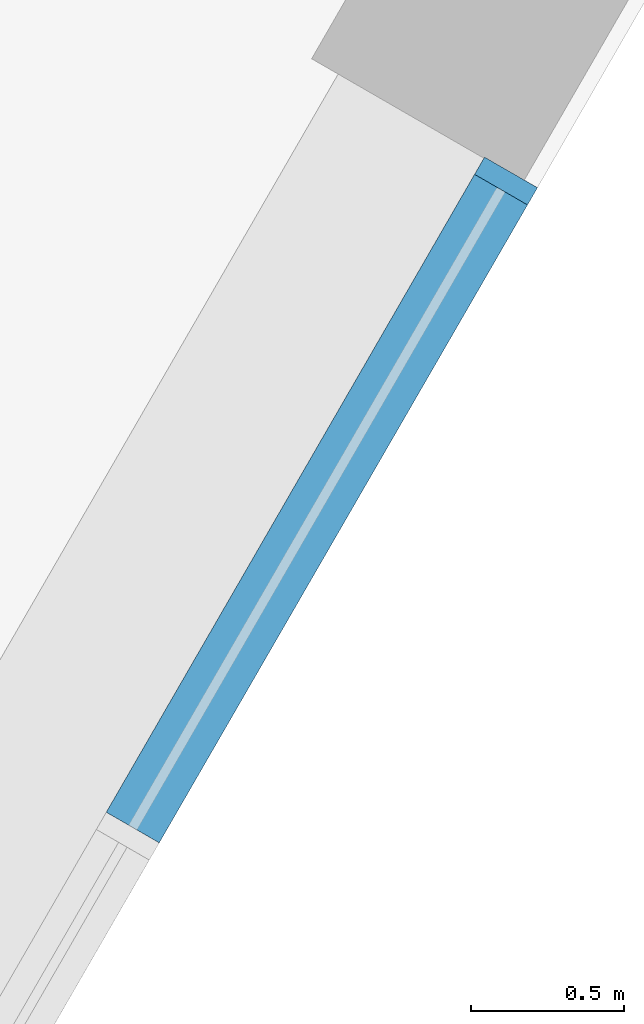
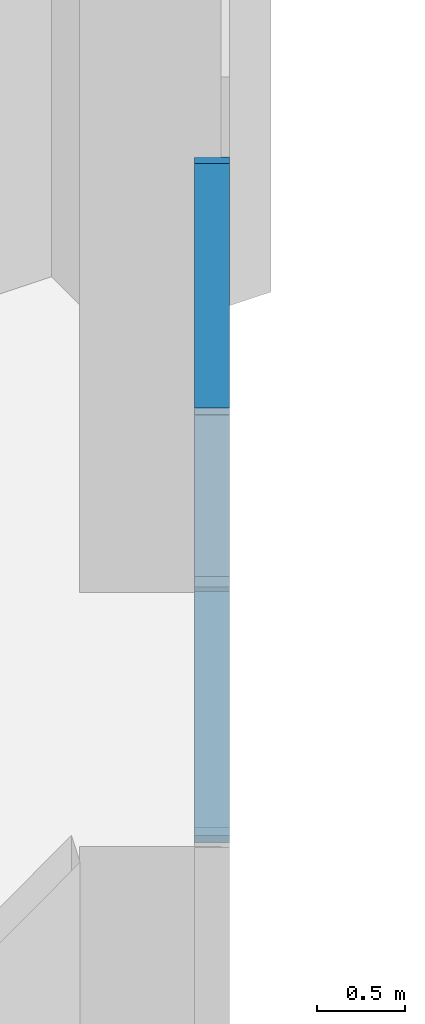
# One storey, part 5 of 45: 3 members, 1 element without a shape of its own.
"""IFC4 building model written with IfcOpenShell, lengths in metres."""

from ifc_helpers import new_model, si_unit, direction, frame, origin, origin_2d, place, context, subcontext, project, spatial, rectangle, extrude, material, layer, layer_set, material_profile, profile_set, type_object, element, aggregate, save


model = new_model("IFC4")

# Units and contexts
model_context = context("Model", 3, precision=1e-05, world=origin(), true_north=direction((0.0, 1.0)))
body_context = subcontext(model_context, "Body", "Model", "MODEL_VIEW")
ifc_project = project(units=[si_unit("LENGTHUNIT", "METRE"), si_unit("AREAUNIT", "SQUARE_METRE"), si_unit("VOLUMEUNIT", "CUBIC_METRE"), si_unit("PLANEANGLEUNIT", "RADIAN"), si_unit("MASSUNIT", "GRAM", prefix="KILO")], contexts=[model_context])

# Site, building, storey
site_placement = place(None, origin())
site = spatial("IfcSite", under=ifc_project, at=site_placement, CompositionType="ELEMENT")
building_placement = place(site_placement, origin())
building = spatial("IfcBuilding", under=site, at=building_placement, Name="Nakaniwa Court", CompositionType="ELEMENT")
storey_placement = place(building_placement, frame((0.0, 0.0, 11.39990234375)))
storey = spatial("IfcBuildingStorey", under=building, at=storey_placement, Name="L02", CompositionType="ELEMENT", Elevation=11.39990234375)

# Curtain wall, members
ifc_material_1 = material(Name="Black anodised aluminium frame with dark low-E laminated double glazing", Category="aluminium")
ifc_layer = layer(ifc_material_1, 0.199951171875)
ifc_layer_set = layer_set([ifc_layer], Name="Black anodised aluminium frame with dark low-E laminated double glazing")
curtain_wall_type = type_object("IfcCurtainWallType", Name="Podium unitised curtain wall", PredefinedType="NOTDEFINED", material=ifc_layer_set)
curtain_wall_placement = place(storey_placement, origin())
curtain_wall = element("IfcCurtainWall", 1, at=curtain_wall_placement, inside=storey, type_object=curtain_wall_type, Name="L02 curtain wall CW1 02", PredefinedType="NOTDEFINED")
ifc_material_2 = material(Name="Black anodised aluminium extrusion", Category="aluminium")
ifc_material_profile_1 = material_profile(ifc_material_2, rectangle(XDim=0.199951171875, YDim=0.06494140625, at=origin_2d()), Name="Podium unitised curtain wall mullion 65x200")
ifc_profile_set_1 = profile_set([ifc_material_profile_1], Name="Black anodised aluminium extrusion")
member_type_1 = type_object("IfcMemberType", Name="Podium unitised curtain wall mullion 65x200", PredefinedType="MULLION", material=ifc_profile_set_1)
member_1_placement = place(storey_placement, frame((111.71337890625, 69.129150390625, 0.0), z_axis=(0.0, 0.0, 1.0), x_axis=(-0.866023723106, 0.500002911009, 0.0)))
member_1 = element("IfcMember", 2, at=member_1_placement, type_object=member_type_1, Name="CW1 mullion 3", PredefinedType="MULLION", context=body_context, shape_type="SweptSolid", body=[
    extrude(rectangle(XDim=0.199951171875, YDim=0.06494140625, at=origin_2d()), origin(), (0.0, 0.0, 1.0), 3.0),
])
ifc_material_profile_2 = material_profile(ifc_material_2, rectangle(XDim=0.199951171875, YDim=0.050048828125, at=origin_2d()), Name="Podium unitised curtain wall transom 50x200")
ifc_profile_set_2 = profile_set([ifc_material_profile_2], Name="Black anodised aluminium extrusion")
member_type_2 = type_object("IfcMemberType", Name="Podium unitised curtain wall transom 50x200", PredefinedType="USERDEFINED", material=ifc_profile_set_2)
member_2_placement = place(storey_placement, frame((110.4931640625, 67.015869140625, 0.025146484375), z_axis=(0.499988695522, 0.866031930329, 0.0), x_axis=(-0.866031930329, 0.499988695522, 0.0)))
member_2 = element("IfcMember", 3, at=member_2_placement, type_object=member_type_2, Name="CW1 transom 2.1", ObjectType="TRANSOM", PredefinedType="USERDEFINED", context=body_context, shape_type="SweptSolid", body=[
    extrude(rectangle(XDim=0.199951171875, YDim=0.050048828125, at=origin_2d()), origin(), (0.0, 0.0, 1.0), 2.40771484375),
])
member_3_placement = place(storey_placement, frame((110.4931640625, 67.015869140625, 2.97509765625), z_axis=(0.499988695522, 0.866031930329, 0.0), x_axis=(-0.866031930329, 0.499988695522, 0.0)))
member_3 = element("IfcMember", 4, at=member_3_placement, type_object=member_type_2, Name="CW1 transom 2.2", ObjectType="TRANSOM", PredefinedType="USERDEFINED", context=body_context, shape_type="SweptSolid", body=[
    extrude(rectangle(XDim=0.199951171875, YDim=0.050048828125, at=origin_2d()), origin(), (0.0, 0.0, 1.0), 2.40771484375),
])
aggregate(curtain_wall, [member_1, member_2, member_3])

save(model, "model.ifc")
